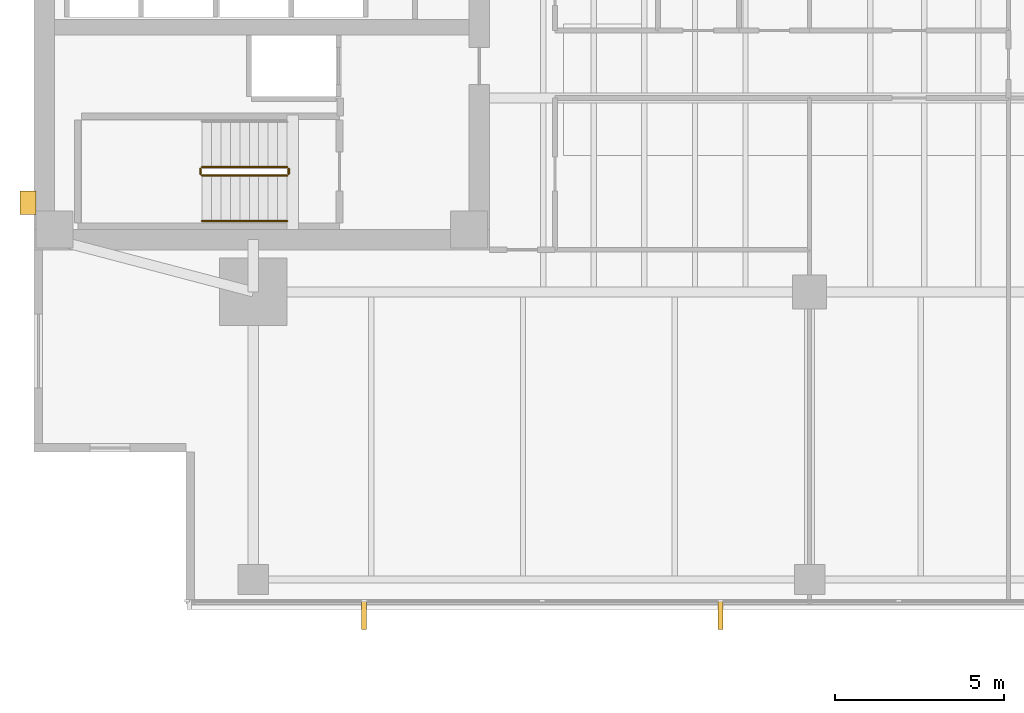
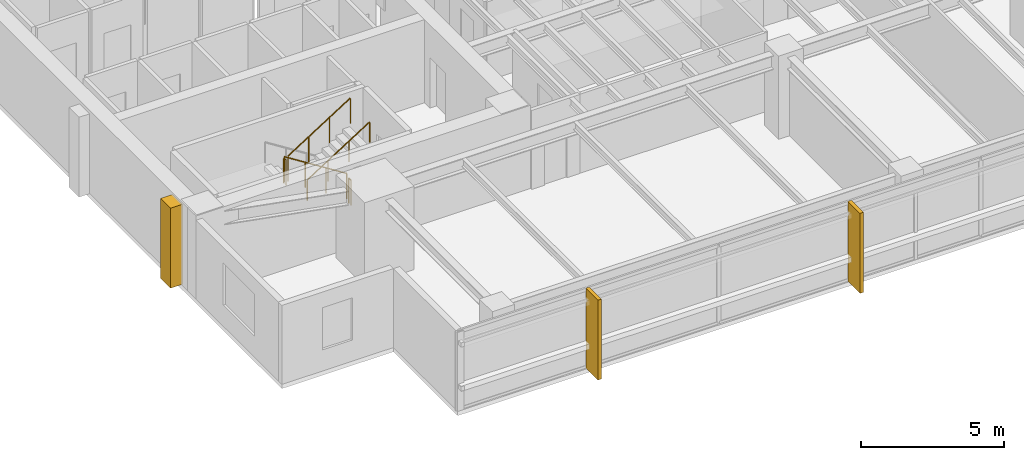
# One storey, part 11 of 14: 5 railings, 3 coverings.
"""IFC4 building model written with IfcOpenShell, lengths in metres."""

from ifc_helpers import new_model, si_unit, direction, frame, origin, origin_2d, place, context, subcontext, project, spatial, polyline, circle, outline, extrude, material, layer, layer_set, type_object, element, save


model = new_model("IFC4")

# Units and contexts
model_context = context("Model", 3, precision=1e-05, world=origin(), true_north=direction((0.0, 1.0)))
body_context = subcontext(model_context, "Body", "Model", "MODEL_VIEW")
ifc_project = project(units=[si_unit("LENGTHUNIT", "METRE"), si_unit("AREAUNIT", "SQUARE_METRE"), si_unit("VOLUMEUNIT", "CUBIC_METRE"), si_unit("PLANEANGLEUNIT", "RADIAN"), si_unit("MASSUNIT", "GRAM", prefix="KILO")], contexts=[model_context])

# Site, building, storey
site_placement = place(None, origin())
site = spatial("IfcSite", under=ifc_project, at=site_placement, CompositionType="ELEMENT")
building_placement = place(site_placement, origin())
building = spatial("IfcBuilding", under=site, at=building_placement, Name="Kinhvarn Gate Tower", CompositionType="ELEMENT")
storey_placement = place(building_placement, frame((0.0, 0.0, 137.75)))
storey = spatial("IfcBuildingStorey", under=building, at=storey_placement, Name="L36", CompositionType="ELEMENT", Elevation=137.75)

# Coverings
ifc_material_1 = material(Name="Fired architectural terracotta", Category="masonry")
ifc_layer_1 = layer(ifc_material_1, 0.139892578125)
ifc_layer_set_1 = layer_set([ifc_layer_1], Name="Fired architectural terracotta")
covering_type_1 = type_object("IfcCoveringType", Name="COV-FIN-850", PredefinedType="CLADDING", material=ifc_layer_set_1)
covering_1_placement = place(storey_placement, frame((0.0, 0.0, -0.02001953125)))
element("IfcCovering", 1, at=covering_1_placement, inside=storey, type_object=covering_type_1, Name="Vertical Terracotta Expressive Fin TFN-850 (L36)", PredefinedType="CLADDING", context=body_context, shape_type="SweptSolid", body=[
    extrude(outline(polyline([(14.2158203125, 3.580078125), (14.355712890625, 3.580078125), (14.355712890625, 2.72998046875), (14.2158203125, 2.72998046875), (14.2158203125, 3.580078125)])), origin(), (0.0, 0.0, 1.0), 3.409912109375),
])
covering_2_placement = place(storey_placement, frame((0.0, 0.0, -0.02001953125)))
element("IfcCovering", 2, at=covering_2_placement, inside=storey, type_object=covering_type_1, Name="Vertical Terracotta Expressive Fin TFN-850 (L36)", PredefinedType="CLADDING", context=body_context, shape_type="SweptSolid", body=[
    extrude(outline(polyline([(24.787109375, 3.580078125), (24.927001953125, 3.580078125), (24.927001953125, 2.72998046875), (24.787109375, 2.72998046875), (24.787109375, 3.580078125)])), origin(), (0.0, 0.0, 1.0), 3.409912109375),
])
ifc_material_2 = material(Name="Precast white architectural concrete C40/50", Category="concrete")
ifc_layer_2 = layer(ifc_material_2, 0.47998046875)
ifc_layer_set_2 = layer_set([ifc_layer_2], Name="Precast white architectural concrete C40/50")
covering_type_2 = type_object("IfcCoveringType", Name="COV-RIB-450", PredefinedType="CLADDING", material=ifc_layer_set_2)
covering_3_placement = place(storey_placement, frame((0.0, 0.0, -0.02001953125)))
element("IfcCovering", 3, at=covering_3_placement, inside=storey, type_object=covering_type_2, Name="West Core Sculptural Concrete Relief Rib CRB-450 (L36)", PredefinedType="CLADDING", context=body_context, shape_type="SweptSolid", body=[
    extrude(outline(polyline([(4.080078125, 15.050048828125), (4.56005859375, 15.050048828125), (4.56005859375, 15.75), (4.080078125, 15.75), (4.080078125, 15.050048828125)])), origin(), (0.0, 0.0, 1.0), 3.409912109375),
])

# Railings
ifc_material_3 = material(Name="Steel S355", Category="steel")
railing_type_1 = type_object("IfcRailingType", Name="RL-ST-GRD", PredefinedType="BALUSTRADE", material=ifc_material_3)
railing_1_placement = place(storey_placement, frame((12.0, 16.449951171875, 0.177490234375)))
element("IfcRailing", 4, at=railing_1_placement, inside=storey, type_object=railing_type_1, Name="L36 ST1 stair guard 1", PredefinedType="BALUSTRADE", context=body_context, shape_type="SweptSolid", body=[
    extrude(circle(Radius=0.02392578125, at=origin_2d()), frame((0.0, 0.0, 1.076171875), z_axis=(-0.84460694969, 0.0, 0.535386869969), x_axis=(0.0, -1.0, 0.0)), (0.0, 0.0, 1.0), 2.983642578125),
    extrude(circle(Radius=0.02099609375, at=origin_2d()), origin(), (0.0, 0.0, 1.0), 1.052001953125),
    extrude(circle(Radius=0.02099609375, at=origin_2d()), frame((-0.840087890625, 0.0, 0.532470703125)), (0.0, 0.0, 1.0), 1.052001953125),
    extrude(circle(Radius=0.02099609375, at=origin_2d()), frame((-1.679931640625, 0.0, 1.06494140625)), (0.0, 0.0, 1.0), 1.052001953125),
    extrude(circle(Radius=0.02099609375, at=origin_2d()), frame((-2.52001953125, 0.0, 1.597412109375)), (0.0, 0.0, 1.0), 1.052001953125),
])
railing_2_placement = place(storey_placement, frame((9.429931640625, 16.39990234375, 1.77490234375)))
element("IfcRailing", 5, at=railing_2_placement, inside=storey, type_object=railing_type_1, Name="L36 ST1 stair guard 2", PredefinedType="BALUSTRADE", context=body_context, shape_type="SweptSolid", body=[
    extrude(circle(Radius=0.02392578125, at=origin_2d()), frame((0.0, 0.0, 1.076171875), z_axis=(0.0, -1.0, 0.0), x_axis=(1.0, 0.0, 0.0)), (0.0, 0.0, 1.0), 0.14990234375),
    extrude(circle(Radius=0.02099609375, at=origin_2d()), origin(), (0.0, 0.0, 1.0), 1.052001953125),
    extrude(circle(Radius=0.02099609375, at=origin_2d()), frame((0.0, -0.14990234375, 0.0)), (0.0, 0.0, 1.0), 1.052001953125),
])
railing_3_placement = place(storey_placement, frame((9.47998046875, 16.199951171875, 1.952392578125)))
element("IfcRailing", 6, at=railing_3_placement, inside=storey, type_object=railing_type_1, Name="L36 ST1 stair guard 3", PredefinedType="BALUSTRADE", context=body_context, shape_type="SweptSolid", body=[
    extrude(circle(Radius=0.02392578125, at=origin_2d()), frame((0.0, 0.0, 1.076171875), z_axis=(0.84456994832, 0.0, 0.535445237532), x_axis=(0.0, 1.0, 0.0)), (0.0, 0.0, 1.0), 2.98388671875),
    extrude(circle(Radius=0.02099609375, at=origin_2d()), origin(), (0.0, 0.0, 1.0), 1.052001953125),
    extrude(circle(Radius=0.02099609375, at=origin_2d()), frame((0.840087890625, 0.0, 0.532470703125)), (0.0, 0.0, 1.0), 1.052001953125),
    extrude(circle(Radius=0.02099609375, at=origin_2d()), frame((1.679931640625, 0.0, 1.065185546875)), (0.0, 0.0, 1.0), 1.052001953125),
    extrude(circle(Radius=0.02099609375, at=origin_2d()), frame((2.52001953125, 0.0, 1.59765625)), (0.0, 0.0, 1.0), 1.052001953125),
])
railing_4_placement = place(storey_placement, frame((12.050048828125, 16.39990234375, 0.0)))
element("IfcRailing", 7, at=railing_4_placement, inside=storey, type_object=railing_type_1, Name="L36 ST1 stair guard 4", PredefinedType="BALUSTRADE", context=body_context, shape_type="SweptSolid", body=[
    extrude(circle(Radius=0.02392578125, at=origin_2d()), frame((0.0, 0.0, 1.076171875), z_axis=(0.0, -1.0, 0.0), x_axis=(1.0, 0.0, 0.0)), (0.0, 0.0, 1.0), 0.14990234375),
    extrude(circle(Radius=0.02099609375, at=origin_2d()), origin(), (0.0, 0.0, 1.0), 1.052001953125),
    extrude(circle(Radius=0.02099609375, at=origin_2d()), frame((0.0, -0.14990234375, 0.0)), (0.0, 0.0, 1.0), 1.052001953125),
])
railing_type_2 = type_object("IfcRailingType", Name="RL-ST-HND", PredefinedType="HANDRAIL", material=ifc_material_3)
railing_5_placement = place(storey_placement, frame((9.47998046875, 14.85009765625, 1.952392578125)))
element("IfcRailing", 8, at=railing_5_placement, inside=storey, type_object=railing_type_2, Name="L36 ST1 stair handrail 2", PredefinedType="HANDRAIL", context=body_context, shape_type="SweptSolid", body=[
    extrude(circle(Radius=0.02392578125, at=origin_2d()), frame((0.0, 0.0, 0.8759765625), z_axis=(0.84456994832, 0.0, 0.535445237532), x_axis=(0.0, 1.0, 0.0)), (0.0, 0.0, 1.0), 2.98388671875),
    extrude(circle(Radius=0.02099609375, at=origin_2d()), origin(), (0.0, 0.0, 1.0), 0.851806640625),
    extrude(circle(Radius=0.02099609375, at=origin_2d()), frame((0.840087890625, 0.0, 0.532470703125)), (0.0, 0.0, 1.0), 0.851806640625),
    extrude(circle(Radius=0.02099609375, at=origin_2d()), frame((1.679931640625, 0.0, 1.065185546875)), (0.0, 0.0, 1.0), 0.851806640625),
    extrude(circle(Radius=0.02099609375, at=origin_2d()), frame((2.52001953125, 0.0, 1.59765625)), (0.0, 0.0, 1.0), 0.851806640625),
])

save(model, "model.ifc")
